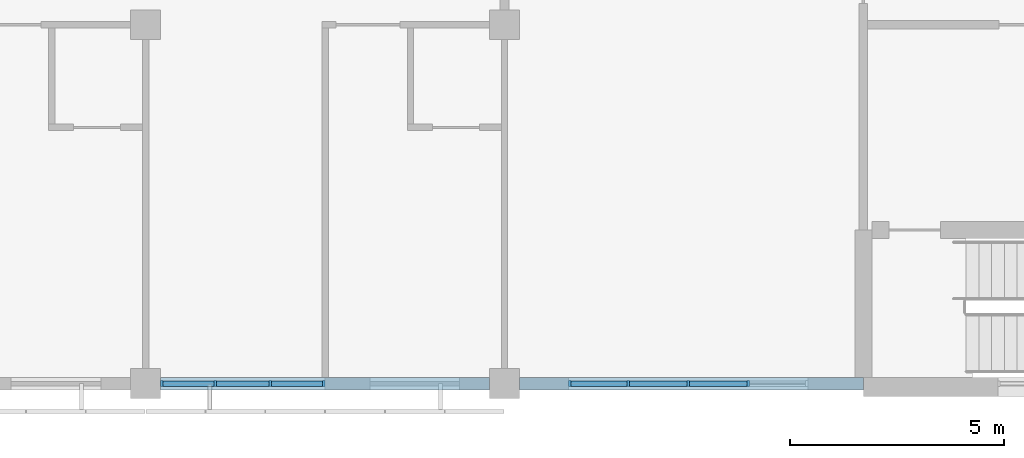
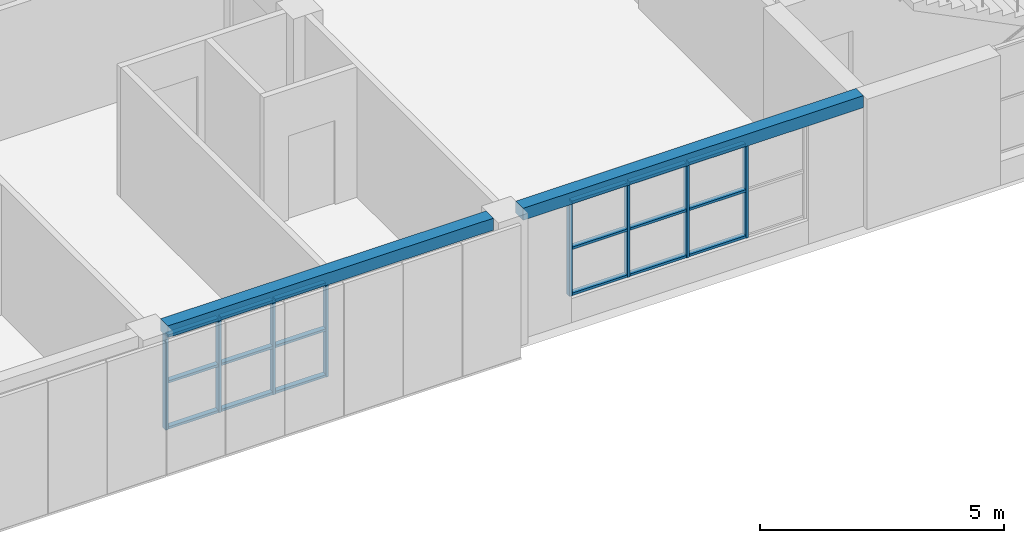
# One storey, part 2 of 45: 26 members, 2 beams, 2 elements without a shape of their own.
"""IFC4 building model written with IfcOpenShell, lengths in metres."""

from ifc_helpers import new_model, si_unit, direction, frame, origin, origin_2d, place, context, subcontext, project, spatial, rectangle, extrude, material, material_profile, profile_set, type_object, element, aggregate, save


model = new_model("IFC4")

# Units and contexts
model_context = context("Model", 3, precision=1e-05, world=origin(), true_north=direction((0.0, 1.0)))
body_context = subcontext(model_context, "Body", "Model", "MODEL_VIEW")
ifc_project = project(units=[si_unit("LENGTHUNIT", "METRE"), si_unit("AREAUNIT", "SQUARE_METRE"), si_unit("VOLUMEUNIT", "CUBIC_METRE"), si_unit("PLANEANGLEUNIT", "RADIAN"), si_unit("MASSUNIT", "GRAM", prefix="KILO")], contexts=[model_context])

# Site, building, storey
site_placement = place(None, origin())
site = spatial("IfcSite", under=ifc_project, at=site_placement, CompositionType="ELEMENT")
building_placement = place(site_placement, origin())
building = spatial("IfcBuilding", under=site, at=building_placement, Name="Yavir Park General Hospital", CompositionType="ELEMENT")
storey_placement = place(building_placement, frame((0.0, 0.0, 22.5)))
storey = spatial("IfcBuildingStorey", under=building, at=storey_placement, Name="L05", CompositionType="ELEMENT", Elevation=22.5)

# Curtain wall, members
ifc_material_1 = material(Name="Aluminium curtain wall frame with insulated glazing", Category="aluminium")
curtain_wall_type = type_object("IfcCurtainWallType", Name="Day room pocket glazing, ward floors, 2360 high, 1400 module", PredefinedType="NOTDEFINED", material=ifc_material_1)
curtain_wall_1_placement = place(storey_placement, origin())
curtain_wall_1 = element("IfcCurtainWall", 1, at=curtain_wall_1_placement, inside=storey, type_object=curtain_wall_type, Name="CW6 L05-001", PredefinedType="NOTDEFINED")
ifc_material_2 = material(Name="Aluminium", Category="aluminium")
ifc_material_profile_1 = material_profile(ifc_material_2, rectangle(XDim=0.139892578125, YDim=0.06005859375, at=origin_2d()), Name="AL 60x140")
ifc_profile_set_1 = profile_set([ifc_material_profile_1], Name="Aluminium")
member_type_1 = type_object("IfcMemberType", Name="Day room pocket glazing, ward floors, 2360 high mullion 60 x 140", PredefinedType="MULLION", material=ifc_profile_set_1)
member_1_placement = place(storey_placement, frame((17.179931640625, 0.0, 0.60009765625), z_axis=(0.0, 0.0, 1.0), x_axis=(0.0, 1.0, 0.0)))
member_1 = element("IfcMember", 2, at=member_1_placement, type_object=member_type_1, Name="CW6 mullion 1", PredefinedType="MULLION", context=body_context, shape_type="SweptSolid", body=[
    extrude(rectangle(XDim=0.139892578125, YDim=0.06005859375, at=origin_2d()), origin(), (0.0, 0.0, 1.0), 2.35986328125),
])
member_2_placement = place(storey_placement, frame((18.433349609375, 0.0, 0.60009765625), z_axis=(0.0, 0.0, 1.0), x_axis=(0.0, 1.0, 0.0)))
member_2 = element("IfcMember", 3, at=member_2_placement, type_object=member_type_1, Name="CW6 mullion 2", PredefinedType="MULLION", context=body_context, shape_type="SweptSolid", body=[
    extrude(rectangle(XDim=0.139892578125, YDim=0.06005859375, at=origin_2d()), origin(), (0.0, 0.0, 1.0), 2.35986328125),
])
member_3_placement = place(storey_placement, frame((19.716552734375, 0.0, 0.60009765625), z_axis=(0.0, 0.0, 1.0), x_axis=(0.0, 1.0, 0.0)))
member_3 = element("IfcMember", 4, at=member_3_placement, type_object=member_type_1, Name="CW6 mullion 3", PredefinedType="MULLION", context=body_context, shape_type="SweptSolid", body=[
    extrude(rectangle(XDim=0.139892578125, YDim=0.06005859375, at=origin_2d()), origin(), (0.0, 0.0, 1.0), 2.35986328125),
])
member_4_placement = place(storey_placement, frame((20.969970703125, 0.0, 0.60009765625), z_axis=(0.0, 0.0, 1.0), x_axis=(0.0, 1.0, 0.0)))
member_4 = element("IfcMember", 5, at=member_4_placement, type_object=member_type_1, Name="CW6 mullion 4", PredefinedType="MULLION", context=body_context, shape_type="SweptSolid", body=[
    extrude(rectangle(XDim=0.139892578125, YDim=0.06005859375, at=origin_2d()), origin(), (0.0, 0.0, 1.0), 2.35986328125),
])

curtain_wall_2_placement = place(storey_placement, origin())
curtain_wall_2 = element("IfcCurtainWall", 6, at=curtain_wall_2_placement, inside=storey, type_object=curtain_wall_type, Name="CW6 L05-002", PredefinedType="NOTDEFINED")
member_5_placement = place(storey_placement, frame((26.72998046875, 0.0, 0.60009765625), z_axis=(0.0, 0.0, 1.0), x_axis=(0.0, 1.0, 0.0)))
member_5 = element("IfcMember", 7, at=member_5_placement, type_object=member_type_1, Name="CW6 mullion 1", PredefinedType="MULLION", context=body_context, shape_type="SweptSolid", body=[
    extrude(rectangle(XDim=0.139892578125, YDim=0.06005859375, at=origin_2d()), origin(), (0.0, 0.0, 1.0), 2.35986328125),
])
member_6_placement = place(storey_placement, frame((28.10009765625, 0.0, 0.60009765625), z_axis=(0.0, 0.0, 1.0), x_axis=(0.0, 1.0, 0.0)))
member_6 = element("IfcMember", 8, at=member_6_placement, type_object=member_type_1, Name="CW6 mullion 2", PredefinedType="MULLION", context=body_context, shape_type="SweptSolid", body=[
    extrude(rectangle(XDim=0.139892578125, YDim=0.06005859375, at=origin_2d()), origin(), (0.0, 0.0, 1.0), 2.35986328125),
])
member_7_placement = place(storey_placement, frame((29.5, 0.0, 0.60009765625), z_axis=(0.0, 0.0, 1.0), x_axis=(0.0, 1.0, 0.0)))
member_7 = element("IfcMember", 9, at=member_7_placement, type_object=member_type_1, Name="CW6 mullion 3", PredefinedType="MULLION", context=body_context, shape_type="SweptSolid", body=[
    extrude(rectangle(XDim=0.139892578125, YDim=0.06005859375, at=origin_2d()), origin(), (0.0, 0.0, 1.0), 2.35986328125),
])
member_8_placement = place(storey_placement, frame((30.89990234375, 0.0, 0.60009765625), z_axis=(0.0, 0.0, 1.0), x_axis=(0.0, 1.0, 0.0)))
member_8 = element("IfcMember", 10, at=member_8_placement, type_object=member_type_1, Name="CW6 mullion 4", PredefinedType="MULLION", context=body_context, shape_type="SweptSolid", body=[
    extrude(rectangle(XDim=0.139892578125, YDim=0.06005859375, at=origin_2d()), origin(), (0.0, 0.0, 1.0), 2.35986328125),
])

# Member
ifc_material_3 = material(Name="Aluminium", Category="aluminium")
ifc_material_profile_2 = material_profile(ifc_material_3, rectangle(XDim=0.1201171875, YDim=0.06005859375, at=origin_2d()), Name="AL 120x60")
ifc_profile_set_2 = profile_set([ifc_material_profile_2], Name="Aluminium")
member_type_2 = type_object("IfcMemberType", Name="Day room pocket glazing, ward floors, 2360 high transom 60 x 120", PredefinedType="MULLION", material=ifc_profile_set_2)
member_9_placement = place(storey_placement, frame((17.2099609375, 0.0, 0.6298828125), z_axis=(1.0, 0.0, 0.0), x_axis=(0.0, 1.0, 0.0)))
member_9 = element("IfcMember", 11, at=member_9_placement, type_object=member_type_2, Name="CW6 transom 1.1", PredefinedType="MULLION", context=body_context, shape_type="SweptSolid", body=[
    extrude(rectangle(XDim=0.1201171875, YDim=0.06005859375, at=origin_2d()), origin(), (0.0, 0.0, 1.0), 1.193359375),
])

member_10_placement = place(storey_placement, frame((17.2099609375, 0.0, 1.780029296875), z_axis=(1.0, 0.0, 0.0), x_axis=(0.0, 1.0, 0.0)))
member_10 = element("IfcMember", 12, at=member_10_placement, type_object=member_type_2, Name="CW6 transom 1.2", PredefinedType="MULLION", context=body_context, shape_type="SweptSolid", body=[
    extrude(rectangle(XDim=0.1201171875, YDim=0.06005859375, at=origin_2d()), origin(), (0.0, 0.0, 1.0), 1.193359375),
])

member_11_placement = place(storey_placement, frame((17.2099609375, 0.0, 2.929931640625), z_axis=(1.0, 0.0, 0.0), x_axis=(0.0, 1.0, 0.0)))
member_11 = element("IfcMember", 13, at=member_11_placement, type_object=member_type_2, Name="CW6 transom 1.3", PredefinedType="MULLION", context=body_context, shape_type="SweptSolid", body=[
    extrude(rectangle(XDim=0.1201171875, YDim=0.06005859375, at=origin_2d()), origin(), (0.0, 0.0, 1.0), 1.193359375),
])

member_12_placement = place(storey_placement, frame((18.46337890625, 0.0, 0.6298828125), z_axis=(1.0, 0.0, 0.0), x_axis=(0.0, 1.0, 0.0)))
member_12 = element("IfcMember", 14, at=member_12_placement, type_object=member_type_2, Name="CW6 transom 2.1", PredefinedType="MULLION", context=body_context, shape_type="SweptSolid", body=[
    extrude(rectangle(XDim=0.1201171875, YDim=0.06005859375, at=origin_2d()), origin(), (0.0, 0.0, 1.0), 1.223388671875),
])

member_13_placement = place(storey_placement, frame((18.46337890625, 0.0, 1.780029296875), z_axis=(1.0, 0.0, 0.0), x_axis=(0.0, 1.0, 0.0)))
member_13 = element("IfcMember", 15, at=member_13_placement, type_object=member_type_2, Name="CW6 transom 2.2", PredefinedType="MULLION", context=body_context, shape_type="SweptSolid", body=[
    extrude(rectangle(XDim=0.1201171875, YDim=0.06005859375, at=origin_2d()), origin(), (0.0, 0.0, 1.0), 1.223388671875),
])

member_14_placement = place(storey_placement, frame((18.46337890625, 0.0, 2.929931640625), z_axis=(1.0, 0.0, 0.0), x_axis=(0.0, 1.0, 0.0)))
member_14 = element("IfcMember", 16, at=member_14_placement, type_object=member_type_2, Name="CW6 transom 2.3", PredefinedType="MULLION", context=body_context, shape_type="SweptSolid", body=[
    extrude(rectangle(XDim=0.1201171875, YDim=0.06005859375, at=origin_2d()), origin(), (0.0, 0.0, 1.0), 1.223388671875),
])

member_15_placement = place(storey_placement, frame((19.74658203125, 0.0, 0.6298828125), z_axis=(1.0, 0.0, 0.0), x_axis=(0.0, 1.0, 0.0)))
member_15 = element("IfcMember", 17, at=member_15_placement, type_object=member_type_2, Name="CW6 transom 3.1", PredefinedType="MULLION", context=body_context, shape_type="SweptSolid", body=[
    extrude(rectangle(XDim=0.1201171875, YDim=0.06005859375, at=origin_2d()), origin(), (0.0, 0.0, 1.0), 1.193359375),
])

member_16_placement = place(storey_placement, frame((19.74658203125, 0.0, 1.780029296875), z_axis=(1.0, 0.0, 0.0), x_axis=(0.0, 1.0, 0.0)))
member_16 = element("IfcMember", 18, at=member_16_placement, type_object=member_type_2, Name="CW6 transom 3.2", PredefinedType="MULLION", context=body_context, shape_type="SweptSolid", body=[
    extrude(rectangle(XDim=0.1201171875, YDim=0.06005859375, at=origin_2d()), origin(), (0.0, 0.0, 1.0), 1.193359375),
])

member_17_placement = place(storey_placement, frame((19.74658203125, 0.0, 2.929931640625), z_axis=(1.0, 0.0, 0.0), x_axis=(0.0, 1.0, 0.0)))
member_17 = element("IfcMember", 19, at=member_17_placement, type_object=member_type_2, Name="CW6 transom 3.3", PredefinedType="MULLION", context=body_context, shape_type="SweptSolid", body=[
    extrude(rectangle(XDim=0.1201171875, YDim=0.06005859375, at=origin_2d()), origin(), (0.0, 0.0, 1.0), 1.193359375),
])

aggregate(curtain_wall_1, [member_1, member_2, member_3, member_4, member_9, member_10, member_11, member_12, member_13, member_14, member_15, member_16, member_17])

member_18_placement = place(storey_placement, frame((26.760009765625, 0.0, 0.6298828125), z_axis=(1.0, 0.0, 0.0), x_axis=(0.0, 1.0, 0.0)))
member_18 = element("IfcMember", 20, at=member_18_placement, type_object=member_type_2, Name="CW6 transom 1.1", PredefinedType="MULLION", context=body_context, shape_type="SweptSolid", body=[
    extrude(rectangle(XDim=0.1201171875, YDim=0.06005859375, at=origin_2d()), origin(), (0.0, 0.0, 1.0), 1.31005859375),
])

member_19_placement = place(storey_placement, frame((26.760009765625, 0.0, 1.780029296875), z_axis=(1.0, 0.0, 0.0), x_axis=(0.0, 1.0, 0.0)))
member_19 = element("IfcMember", 21, at=member_19_placement, type_object=member_type_2, Name="CW6 transom 1.2", PredefinedType="MULLION", context=body_context, shape_type="SweptSolid", body=[
    extrude(rectangle(XDim=0.1201171875, YDim=0.06005859375, at=origin_2d()), origin(), (0.0, 0.0, 1.0), 1.31005859375),
])

member_20_placement = place(storey_placement, frame((26.760009765625, 0.0, 2.929931640625), z_axis=(1.0, 0.0, 0.0), x_axis=(0.0, 1.0, 0.0)))
member_20 = element("IfcMember", 22, at=member_20_placement, type_object=member_type_2, Name="CW6 transom 1.3", PredefinedType="MULLION", context=body_context, shape_type="SweptSolid", body=[
    extrude(rectangle(XDim=0.1201171875, YDim=0.06005859375, at=origin_2d()), origin(), (0.0, 0.0, 1.0), 1.31005859375),
])

member_21_placement = place(storey_placement, frame((28.1298828125, 0.0, 0.6298828125), z_axis=(1.0, 0.0, 0.0), x_axis=(0.0, 1.0, 0.0)))
member_21 = element("IfcMember", 23, at=member_21_placement, type_object=member_type_2, Name="CW6 transom 2.1", PredefinedType="MULLION", context=body_context, shape_type="SweptSolid", body=[
    extrude(rectangle(XDim=0.1201171875, YDim=0.06005859375, at=origin_2d()), origin(), (0.0, 0.0, 1.0), 1.340087890625),
])

member_22_placement = place(storey_placement, frame((28.1298828125, 0.0, 1.780029296875), z_axis=(1.0, 0.0, 0.0), x_axis=(0.0, 1.0, 0.0)))
member_22 = element("IfcMember", 24, at=member_22_placement, type_object=member_type_2, Name="CW6 transom 2.2", PredefinedType="MULLION", context=body_context, shape_type="SweptSolid", body=[
    extrude(rectangle(XDim=0.1201171875, YDim=0.06005859375, at=origin_2d()), origin(), (0.0, 0.0, 1.0), 1.340087890625),
])

member_23_placement = place(storey_placement, frame((28.1298828125, 0.0, 2.929931640625), z_axis=(1.0, 0.0, 0.0), x_axis=(0.0, 1.0, 0.0)))
member_23 = element("IfcMember", 25, at=member_23_placement, type_object=member_type_2, Name="CW6 transom 2.3", PredefinedType="MULLION", context=body_context, shape_type="SweptSolid", body=[
    extrude(rectangle(XDim=0.1201171875, YDim=0.06005859375, at=origin_2d()), origin(), (0.0, 0.0, 1.0), 1.340087890625),
])

member_24_placement = place(storey_placement, frame((29.530029296875, 0.0, 0.6298828125), z_axis=(1.0, 0.0, 0.0), x_axis=(0.0, 1.0, 0.0)))
member_24 = element("IfcMember", 26, at=member_24_placement, type_object=member_type_2, Name="CW6 transom 3.1", PredefinedType="MULLION", context=body_context, shape_type="SweptSolid", body=[
    extrude(rectangle(XDim=0.1201171875, YDim=0.06005859375, at=origin_2d()), origin(), (0.0, 0.0, 1.0), 1.340087890625),
])

member_25_placement = place(storey_placement, frame((29.530029296875, 0.0, 1.780029296875), z_axis=(1.0, 0.0, 0.0), x_axis=(0.0, 1.0, 0.0)))
member_25 = element("IfcMember", 27, at=member_25_placement, type_object=member_type_2, Name="CW6 transom 3.2", PredefinedType="MULLION", context=body_context, shape_type="SweptSolid", body=[
    extrude(rectangle(XDim=0.1201171875, YDim=0.06005859375, at=origin_2d()), origin(), (0.0, 0.0, 1.0), 1.340087890625),
])

member_26_placement = place(storey_placement, frame((29.530029296875, 0.0, 2.929931640625), z_axis=(1.0, 0.0, 0.0), x_axis=(0.0, 1.0, 0.0)))
member_26 = element("IfcMember", 28, at=member_26_placement, type_object=member_type_2, Name="CW6 transom 3.3", PredefinedType="MULLION", context=body_context, shape_type="SweptSolid", body=[
    extrude(rectangle(XDim=0.1201171875, YDim=0.06005859375, at=origin_2d()), origin(), (0.0, 0.0, 1.0), 1.340087890625),
])

aggregate(curtain_wall_2, [member_5, member_6, member_7, member_8, member_18, member_19, member_20, member_21, member_22, member_23, member_24, member_25, member_26])

# Beams
ifc_material_4 = material(Name="Concrete C35/45", Category="concrete")
ifc_material_profile_3 = material_profile(ifc_material_4, rectangle(XDim=0.300048828125, YDim=0.300048828125, at=origin_2d()), Name="RC300x300")
ifc_profile_set_3 = profile_set([ifc_material_profile_3], Name="Concrete C35/45")
beam_type = type_object("IfcBeamType", Name="RC BEAM 300x300 edge beam", PredefinedType="BEAM", material=ifc_profile_set_3)
beam_1_placement = place(storey_placement, frame((17.14990234375, 0.0, 3.110107421875), z_axis=(1.0, 0.0, 0.0), x_axis=(0.0, 1.0, 0.0)))
element("IfcBeam", 29, at=beam_1_placement, inside=storey, type_object=beam_type, Name="B:EDGE:L05:003", PredefinedType="BEAM", context=body_context, shape_type="SweptSolid", body=[
    extrude(rectangle(XDim=0.300048828125, YDim=0.300048828125, at=origin_2d()), origin(), (0.0, 0.0, 1.0), 7.7001953125),
])
beam_2_placement = place(storey_placement, frame((25.550048828125, 0.0, 3.110107421875), z_axis=(1.0, 0.0, 0.0), x_axis=(0.0, 1.0, 0.0)))
element("IfcBeam", 30, at=beam_2_placement, inside=storey, type_object=beam_type, Name="B:EDGE:L05:004", PredefinedType="BEAM", context=body_context, shape_type="SweptSolid", body=[
    extrude(rectangle(XDim=0.300048828125, YDim=0.300048828125, at=origin_2d()), origin(), (0.0, 0.0, 1.0), 8.050048828125),
])

save(model, "model.ifc")
